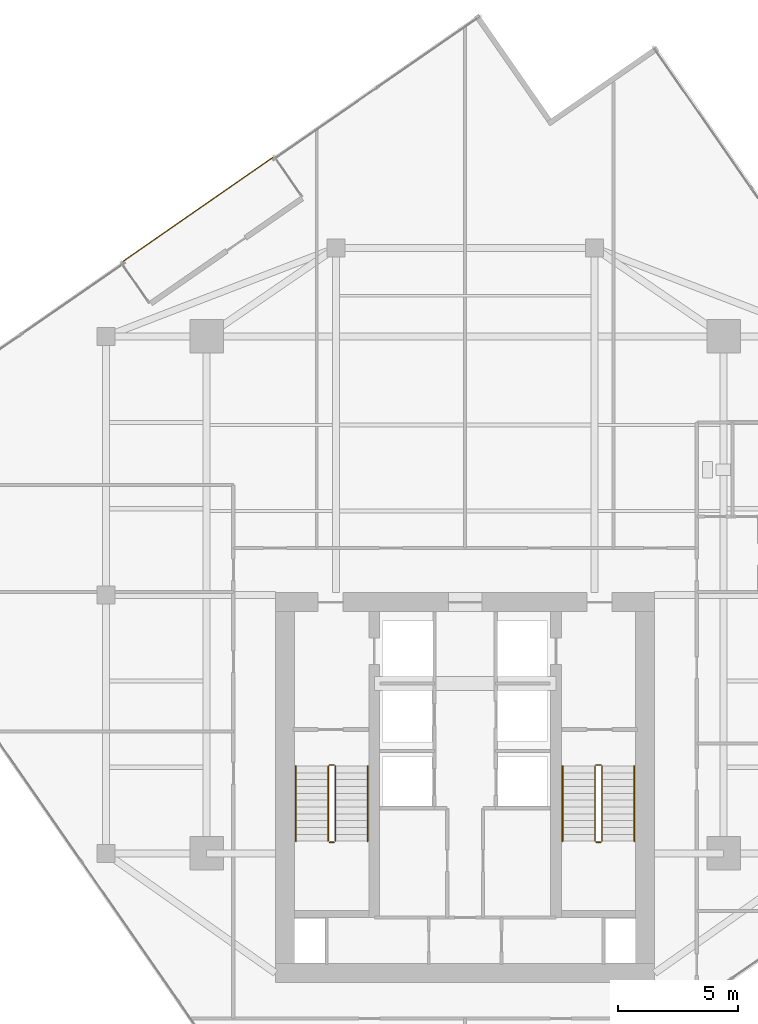
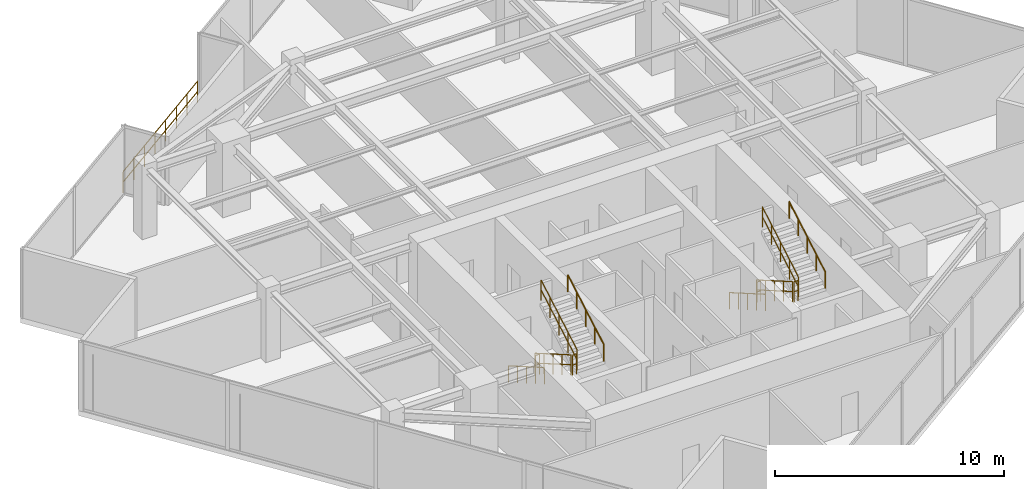
# One storey, part 20 of 21: 13 railings.
"""IFC4 building model written with IfcOpenShell, lengths in metres."""

from ifc_helpers import new_model, si_unit, direction, frame, origin, origin_2d, place, context, subcontext, project, spatial, circle, extrude, material, layer, layer_set, type_object, element, save


model = new_model("IFC4")

# Units and contexts
model_context = context("Model", 3, precision=1e-05, world=origin(), true_north=direction((0.0, 1.0)))
body_context = subcontext(model_context, "Body", "Model", "MODEL_VIEW")
ifc_project = project(units=[si_unit("LENGTHUNIT", "METRE"), si_unit("AREAUNIT", "SQUARE_METRE"), si_unit("VOLUMEUNIT", "CUBIC_METRE"), si_unit("PLANEANGLEUNIT", "RADIAN"), si_unit("MASSUNIT", "GRAM", prefix="KILO")], contexts=[model_context])

# Site, building, storey
site_placement = place(None, origin())
site = spatial("IfcSite", under=ifc_project, at=site_placement, CompositionType="ELEMENT")
building_placement = place(site_placement, origin())
building = spatial("IfcBuilding", under=site, at=building_placement, Name="Krantzveldt Concourse Tower", CompositionType="ELEMENT")
storey_placement = place(building_placement, frame((0.0, 0.0, 271.35009765625)))
storey = spatial("IfcBuildingStorey", under=building, at=storey_placement, Name="L66", CompositionType="ELEMENT", Elevation=271.35009765625)

# Railings
ifc_material = material(Name="Stainless steel 316L", Category="steel")
ifc_layer_1 = layer(ifc_material, 0.080078125, Name="Stainless steel 316L", Category="steel")
ifc_layer_set_1 = layer_set([ifc_layer_1], Name="Stainless steel 316L (RL-BALUSTRADE-1150)")
railing_type_1 = type_object("IfcRailingType", Name="RL-BALUSTRADE-1150", PredefinedType="BALUSTRADE", material=ifc_layer_set_1)
railing_1_placement = place(storey_placement, frame((27.950439453125, 44.97021484375, 0.0)))
element("IfcRailing", 1, at=railing_1_placement, inside=storey, type_object=railing_type_1, Name="GD-L66-CTER-01", PredefinedType="BALUSTRADE", context=body_context, shape_type="SweptSolid", body=[
    extrude(circle(Radius=0.02392578125, at=origin_2d()), frame((0.0, 0.0, 1.1259765625), z_axis=(-0.821648291551, -0.569994811372, 0.0), x_axis=(0.569994811372, -0.821648291551, 0.0)), (0.0, 0.0, 1.0), 7.60009765625),
    extrude(circle(Radius=0.02392578125, at=origin_2d()), frame((0.0, 0.0, 0.574951171875), z_axis=(-0.821648291551, -0.569994811372, 0.0), x_axis=(0.569994811372, -0.821648291551, 0.0)), (0.0, 0.0, 1.0), 7.60009765625),
    extrude(circle(Radius=0.02099609375, at=origin_2d()), origin(), (0.0, 0.0, 1.0), 1.101806640625),
    extrude(circle(Radius=0.02099609375, at=origin_2d()), frame((-0.89208984375, -0.618896484375, 0.0)), (0.0, 0.0, 1.0), 1.101806640625),
    extrude(circle(Radius=0.02099609375, at=origin_2d()), frame((-1.7841796875, -1.23779296875, 0.0)), (0.0, 0.0, 1.0), 1.101806640625),
    extrude(circle(Radius=0.02099609375, at=origin_2d()), frame((-2.67626953125, -1.856689453125, 0.0)), (0.0, 0.0, 1.0), 1.101806640625),
    extrude(circle(Radius=0.02099609375, at=origin_2d()), frame((-3.568359375, -2.475341796875, 0.0)), (0.0, 0.0, 1.0), 1.101806640625),
    extrude(circle(Radius=0.02099609375, at=origin_2d()), frame((-4.46044921875, -3.09423828125, 0.0)), (0.0, 0.0, 1.0), 1.101806640625),
    extrude(circle(Radius=0.02099609375, at=origin_2d()), frame((-5.3525390625, -3.713134765625, 0.0)), (0.0, 0.0, 1.0), 1.101806640625),
    extrude(circle(Radius=0.02099609375, at=origin_2d()), frame((-6.24462890625, -4.33203125, 0.0)), (0.0, 0.0, 1.0), 1.101806640625),
])
ifc_layer_2 = layer(ifc_material, 0.06005859375, Name="Stainless steel 316L", Category="steel")
ifc_layer_set_2 = layer_set([ifc_layer_2], Name="Stainless steel 316L (RL-GUARD-1120)")
railing_type_2 = type_object("IfcRailingType", Name="RL-GUARD-1120", PredefinedType="GUARDRAIL", material=ifc_layer_set_2)
railing_2_placement = place(storey_placement, frame((30.280029296875, 19.550048828125, 0.16455078125)))
element("IfcRailing", 2, at=railing_2_placement, inside=storey, type_object=railing_type_2, Name="L66 ST-1 stair guard 1", PredefinedType="GUARDRAIL", context=body_context, shape_type="SweptSolid", body=[
    extrude(circle(Radius=0.02392578125, at=origin_2d()), frame((0.0, 0.0, 1.076171875), z_axis=(0.0, -0.865989039225, 0.500062979975), x_axis=(1.0, 0.0, 0.0)), (0.0, 0.0, 1.0), 3.6201171875),
    extrude(circle(Radius=0.02392578125, at=origin_2d()), frame((0.0, 0.0, 0.550048828125), z_axis=(0.0, -0.865989039225, 0.500062979975), x_axis=(1.0, 0.0, 0.0)), (0.0, 0.0, 1.0), 3.6201171875),
    extrude(circle(Radius=0.02099609375, at=origin_2d()), origin(), (0.0, 0.0, 1.0), 1.052001953125),
    extrude(circle(Radius=0.02099609375, at=origin_2d()), frame((0.0, -0.78369140625, 0.45263671875)), (0.0, 0.0, 1.0), 1.052001953125),
    extrude(circle(Radius=0.02099609375, at=origin_2d()), frame((0.0, -1.5673828125, 0.9052734375)), (0.0, 0.0, 1.0), 1.052001953125),
    extrude(circle(Radius=0.02099609375, at=origin_2d()), frame((0.0, -2.351318359375, 1.357666015625)), (0.0, 0.0, 1.0), 1.052001953125),
    extrude(circle(Radius=0.02099609375, at=origin_2d()), frame((0.0, -3.135009765625, 1.810302734375)), (0.0, 0.0, 1.0), 1.052001953125),
])
railing_3_placement = place(storey_placement, frame((30.330078125, 16.364990234375, 1.974853515625)))
element("IfcRailing", 3, at=railing_3_placement, inside=storey, type_object=railing_type_2, Name="L66 ST-1 stair guard 2", PredefinedType="GUARDRAIL", context=body_context, shape_type="SweptSolid", body=[
    extrude(circle(Radius=0.02392578125, at=origin_2d()), frame((0.0, 0.0, 1.076171875), z_axis=(1.0, 0.0, 0.0), x_axis=(0.0, 1.0, 0.0)), (0.0, 0.0, 1.0), 0.199951171875),
    extrude(circle(Radius=0.02392578125, at=origin_2d()), frame((0.0, 0.0, 0.550048828125), z_axis=(1.0, 0.0, 0.0), x_axis=(0.0, 1.0, 0.0)), (0.0, 0.0, 1.0), 0.199951171875),
    extrude(circle(Radius=0.02099609375, at=origin_2d()), origin(), (0.0, 0.0, 1.0), 1.052001953125),
    extrude(circle(Radius=0.02099609375, at=origin_2d()), frame((0.199951171875, 0.0, 0.0)), (0.0, 0.0, 1.0), 1.052001953125),
])
railing_4_placement = place(storey_placement, frame((30.580078125, 16.4150390625, 2.139404296875)))
element("IfcRailing", 4, at=railing_4_placement, inside=storey, type_object=railing_type_2, Name="L66 ST-1 stair guard 3", PredefinedType="GUARDRAIL", context=body_context, shape_type="SweptSolid", body=[
    extrude(circle(Radius=0.02392578125, at=origin_2d()), frame((0.0, 0.0, 1.076171875), z_axis=(0.0, 0.865959834175, 0.500113552702), x_axis=(-1.0, 0.0, 0.0)), (0.0, 0.0, 1.0), 3.620361328125),
    extrude(circle(Radius=0.02392578125, at=origin_2d()), frame((0.0, 0.0, 0.550048828125), z_axis=(0.0, 0.865959834175, 0.500113552702), x_axis=(-1.0, 0.0, 0.0)), (0.0, 0.0, 1.0), 3.620361328125),
    extrude(circle(Radius=0.02099609375, at=origin_2d()), origin(), (0.0, 0.0, 1.0), 1.052001953125),
    extrude(circle(Radius=0.02099609375, at=origin_2d()), frame((0.0, 0.78369140625, 0.45263671875)), (0.0, 0.0, 1.0), 1.052001953125),
    extrude(circle(Radius=0.02099609375, at=origin_2d()), frame((0.0, 1.5673828125, 0.9052734375)), (0.0, 0.0, 1.0), 1.052001953125),
    extrude(circle(Radius=0.02099609375, at=origin_2d()), frame((0.0, 2.351318359375, 1.35791015625)), (0.0, 0.0, 1.0), 1.052001953125),
    extrude(circle(Radius=0.02099609375, at=origin_2d()), frame((0.0, 3.135009765625, 1.810546875)), (0.0, 0.0, 1.0), 1.052001953125),
])
railing_5_placement = place(storey_placement, frame((30.330078125, 19.60009765625, 0.0)))
element("IfcRailing", 5, at=railing_5_placement, inside=storey, type_object=railing_type_2, Name="L66 ST-1 stair guard 4", PredefinedType="GUARDRAIL", context=body_context, shape_type="SweptSolid", body=[
    extrude(circle(Radius=0.02392578125, at=origin_2d()), frame((0.0, 0.0, 1.076171875), z_axis=(1.0, 0.0, 0.0), x_axis=(0.0, 1.0, 0.0)), (0.0, 0.0, 1.0), 0.199951171875),
    extrude(circle(Radius=0.02392578125, at=origin_2d()), frame((0.0, 0.0, 0.550048828125), z_axis=(1.0, 0.0, 0.0), x_axis=(0.0, 1.0, 0.0)), (0.0, 0.0, 1.0), 0.199951171875),
    extrude(circle(Radius=0.02099609375, at=origin_2d()), origin(), (0.0, 0.0, 1.0), 1.052001953125),
    extrude(circle(Radius=0.02099609375, at=origin_2d()), frame((0.199951171875, 0.0, 0.0)), (0.0, 0.0, 1.0), 1.052001953125),
])
railing_6_placement = place(storey_placement, frame((41.419921875, 19.550048828125, 0.16455078125)))
element("IfcRailing", 6, at=railing_6_placement, inside=storey, type_object=railing_type_2, Name="L66 ST-2 stair guard 1", PredefinedType="GUARDRAIL", context=body_context, shape_type="SweptSolid", body=[
    extrude(circle(Radius=0.02392578125, at=origin_2d()), frame((0.0, 0.0, 1.076171875), z_axis=(0.0, -0.865989039225, 0.500062979975), x_axis=(1.0, 0.0, 0.0)), (0.0, 0.0, 1.0), 3.6201171875),
    extrude(circle(Radius=0.02392578125, at=origin_2d()), frame((0.0, 0.0, 0.550048828125), z_axis=(0.0, -0.865989039225, 0.500062979975), x_axis=(1.0, 0.0, 0.0)), (0.0, 0.0, 1.0), 3.6201171875),
    extrude(circle(Radius=0.02099609375, at=origin_2d()), origin(), (0.0, 0.0, 1.0), 1.052001953125),
    extrude(circle(Radius=0.02099609375, at=origin_2d()), frame((0.0, -0.78369140625, 0.45263671875)), (0.0, 0.0, 1.0), 1.052001953125),
    extrude(circle(Radius=0.02099609375, at=origin_2d()), frame((0.0, -1.5673828125, 0.9052734375)), (0.0, 0.0, 1.0), 1.052001953125),
    extrude(circle(Radius=0.02099609375, at=origin_2d()), frame((0.0, -2.351318359375, 1.357666015625)), (0.0, 0.0, 1.0), 1.052001953125),
    extrude(circle(Radius=0.02099609375, at=origin_2d()), frame((0.0, -3.135009765625, 1.810302734375)), (0.0, 0.0, 1.0), 1.052001953125),
])
railing_7_placement = place(storey_placement, frame((41.469970703125, 16.364990234375, 1.974853515625)))
element("IfcRailing", 7, at=railing_7_placement, inside=storey, type_object=railing_type_2, Name="L66 ST-2 stair guard 2", PredefinedType="GUARDRAIL", context=body_context, shape_type="SweptSolid", body=[
    extrude(circle(Radius=0.02392578125, at=origin_2d()), frame((0.0, 0.0, 1.076171875), z_axis=(1.0, 0.0, 0.0), x_axis=(0.0, 1.0, 0.0)), (0.0, 0.0, 1.0), 0.199951171875),
    extrude(circle(Radius=0.02392578125, at=origin_2d()), frame((0.0, 0.0, 0.550048828125), z_axis=(1.0, 0.0, 0.0), x_axis=(0.0, 1.0, 0.0)), (0.0, 0.0, 1.0), 0.199951171875),
    extrude(circle(Radius=0.02099609375, at=origin_2d()), origin(), (0.0, 0.0, 1.0), 1.052001953125),
    extrude(circle(Radius=0.02099609375, at=origin_2d()), frame((0.199951171875, 0.0, 0.0)), (0.0, 0.0, 1.0), 1.052001953125),
])
railing_8_placement = place(storey_placement, frame((41.719970703125, 16.4150390625, 2.139404296875)))
element("IfcRailing", 8, at=railing_8_placement, inside=storey, type_object=railing_type_2, Name="L66 ST-2 stair guard 3", PredefinedType="GUARDRAIL", context=body_context, shape_type="SweptSolid", body=[
    extrude(circle(Radius=0.02392578125, at=origin_2d()), frame((0.0, 0.0, 1.076171875), z_axis=(0.0, 0.865959834175, 0.500113552702), x_axis=(-1.0, 0.0, 0.0)), (0.0, 0.0, 1.0), 3.620361328125),
    extrude(circle(Radius=0.02392578125, at=origin_2d()), frame((0.0, 0.0, 0.550048828125), z_axis=(0.0, 0.865959834175, 0.500113552702), x_axis=(-1.0, 0.0, 0.0)), (0.0, 0.0, 1.0), 3.620361328125),
    extrude(circle(Radius=0.02099609375, at=origin_2d()), origin(), (0.0, 0.0, 1.0), 1.052001953125),
    extrude(circle(Radius=0.02099609375, at=origin_2d()), frame((0.0, 0.78369140625, 0.45263671875)), (0.0, 0.0, 1.0), 1.052001953125),
    extrude(circle(Radius=0.02099609375, at=origin_2d()), frame((0.0, 1.5673828125, 0.9052734375)), (0.0, 0.0, 1.0), 1.052001953125),
    extrude(circle(Radius=0.02099609375, at=origin_2d()), frame((0.0, 2.351318359375, 1.35791015625)), (0.0, 0.0, 1.0), 1.052001953125),
    extrude(circle(Radius=0.02099609375, at=origin_2d()), frame((0.0, 3.135009765625, 1.810546875)), (0.0, 0.0, 1.0), 1.052001953125),
])
railing_9_placement = place(storey_placement, frame((41.469970703125, 19.60009765625, 0.0)))
element("IfcRailing", 9, at=railing_9_placement, inside=storey, type_object=railing_type_2, Name="L66 ST-2 stair guard 4", PredefinedType="GUARDRAIL", context=body_context, shape_type="SweptSolid", body=[
    extrude(circle(Radius=0.02392578125, at=origin_2d()), frame((0.0, 0.0, 1.076171875), z_axis=(1.0, 0.0, 0.0), x_axis=(0.0, 1.0, 0.0)), (0.0, 0.0, 1.0), 0.199951171875),
    extrude(circle(Radius=0.02392578125, at=origin_2d()), frame((0.0, 0.0, 0.550048828125), z_axis=(1.0, 0.0, 0.0), x_axis=(0.0, 1.0, 0.0)), (0.0, 0.0, 1.0), 0.199951171875),
    extrude(circle(Radius=0.02099609375, at=origin_2d()), origin(), (0.0, 0.0, 1.0), 1.052001953125),
    extrude(circle(Radius=0.02099609375, at=origin_2d()), frame((0.199951171875, 0.0, 0.0)), (0.0, 0.0, 1.0), 1.052001953125),
])
ifc_layer_3 = layer(ifc_material, 0.050048828125, Name="Stainless steel 316L", Category="steel")
ifc_layer_set_3 = layer_set([ifc_layer_3], Name="Stainless steel 316L (RL-HANDRAIL-920)")
railing_type_3 = type_object("IfcRailingType", Name="RL-HANDRAIL-920", PredefinedType="HANDRAIL", material=ifc_layer_set_3)
railing_10_placement = place(storey_placement, frame((28.929931640625, 19.550048828125, 0.16455078125)))
element("IfcRailing", 10, at=railing_10_placement, inside=storey, type_object=railing_type_3, Name="L66 ST-1 stair handrail 1", PredefinedType="HANDRAIL", context=body_context, shape_type="SweptSolid", body=[
    extrude(circle(Radius=0.02392578125, at=origin_2d()), frame((0.0, 0.0, 0.8759765625), z_axis=(0.0, -0.865989039225, 0.500062979975), x_axis=(1.0, 0.0, 0.0)), (0.0, 0.0, 1.0), 3.6201171875),
    extrude(circle(Radius=0.02099609375, at=origin_2d()), origin(), (0.0, 0.0, 1.0), 0.851806640625),
    extrude(circle(Radius=0.02099609375, at=origin_2d()), frame((0.0, -0.78369140625, 0.45263671875)), (0.0, 0.0, 1.0), 0.851806640625),
    extrude(circle(Radius=0.02099609375, at=origin_2d()), frame((0.0, -1.5673828125, 0.9052734375)), (0.0, 0.0, 1.0), 0.851806640625),
    extrude(circle(Radius=0.02099609375, at=origin_2d()), frame((0.0, -2.351318359375, 1.357666015625)), (0.0, 0.0, 1.0), 0.851806640625),
    extrude(circle(Radius=0.02099609375, at=origin_2d()), frame((0.0, -3.135009765625, 1.810302734375)), (0.0, 0.0, 1.0), 0.851806640625),
])
railing_11_placement = place(storey_placement, frame((31.929931640625, 16.4150390625, 2.139404296875)))
element("IfcRailing", 11, at=railing_11_placement, inside=storey, type_object=railing_type_3, Name="L66 ST-1 stair handrail 2", PredefinedType="HANDRAIL", context=body_context, shape_type="SweptSolid", body=[
    extrude(circle(Radius=0.02392578125, at=origin_2d()), frame((0.0, 0.0, 0.8759765625), z_axis=(0.0, 0.865959834175, 0.500113552702), x_axis=(-1.0, 0.0, 0.0)), (0.0, 0.0, 1.0), 3.620361328125),
    extrude(circle(Radius=0.02099609375, at=origin_2d()), origin(), (0.0, 0.0, 1.0), 0.851806640625),
    extrude(circle(Radius=0.02099609375, at=origin_2d()), frame((0.0, 0.78369140625, 0.45263671875)), (0.0, 0.0, 1.0), 0.851806640625),
    extrude(circle(Radius=0.02099609375, at=origin_2d()), frame((0.0, 1.5673828125, 0.9052734375)), (0.0, 0.0, 1.0), 0.851806640625),
    extrude(circle(Radius=0.02099609375, at=origin_2d()), frame((0.0, 2.351318359375, 1.35791015625)), (0.0, 0.0, 1.0), 0.851806640625),
    extrude(circle(Radius=0.02099609375, at=origin_2d()), frame((0.0, 3.135009765625, 1.810546875)), (0.0, 0.0, 1.0), 0.851806640625),
])
railing_12_placement = place(storey_placement, frame((40.070068359375, 19.550048828125, 0.16455078125)))
element("IfcRailing", 12, at=railing_12_placement, inside=storey, type_object=railing_type_3, Name="L66 ST-2 stair handrail 1", PredefinedType="HANDRAIL", context=body_context, shape_type="SweptSolid", body=[
    extrude(circle(Radius=0.02392578125, at=origin_2d()), frame((0.0, 0.0, 0.8759765625), z_axis=(0.0, -0.865989039225, 0.500062979975), x_axis=(1.0, 0.0, 0.0)), (0.0, 0.0, 1.0), 3.6201171875),
    extrude(circle(Radius=0.02099609375, at=origin_2d()), origin(), (0.0, 0.0, 1.0), 0.851806640625),
    extrude(circle(Radius=0.02099609375, at=origin_2d()), frame((0.0, -0.78369140625, 0.45263671875)), (0.0, 0.0, 1.0), 0.851806640625),
    extrude(circle(Radius=0.02099609375, at=origin_2d()), frame((0.0, -1.5673828125, 0.9052734375)), (0.0, 0.0, 1.0), 0.851806640625),
    extrude(circle(Radius=0.02099609375, at=origin_2d()), frame((0.0, -2.351318359375, 1.357666015625)), (0.0, 0.0, 1.0), 0.851806640625),
    extrude(circle(Radius=0.02099609375, at=origin_2d()), frame((0.0, -3.135009765625, 1.810302734375)), (0.0, 0.0, 1.0), 0.851806640625),
])
railing_13_placement = place(storey_placement, frame((43.070068359375, 16.4150390625, 2.139404296875)))
element("IfcRailing", 13, at=railing_13_placement, inside=storey, type_object=railing_type_3, Name="L66 ST-2 stair handrail 2", PredefinedType="HANDRAIL", context=body_context, shape_type="SweptSolid", body=[
    extrude(circle(Radius=0.02392578125, at=origin_2d()), frame((0.0, 0.0, 0.8759765625), z_axis=(0.0, 0.865959834175, 0.500113552702), x_axis=(-1.0, 0.0, 0.0)), (0.0, 0.0, 1.0), 3.620361328125),
    extrude(circle(Radius=0.02099609375, at=origin_2d()), origin(), (0.0, 0.0, 1.0), 0.851806640625),
    extrude(circle(Radius=0.02099609375, at=origin_2d()), frame((0.0, 0.78369140625, 0.45263671875)), (0.0, 0.0, 1.0), 0.851806640625),
    extrude(circle(Radius=0.02099609375, at=origin_2d()), frame((0.0, 1.5673828125, 0.9052734375)), (0.0, 0.0, 1.0), 0.851806640625),
    extrude(circle(Radius=0.02099609375, at=origin_2d()), frame((0.0, 2.351318359375, 1.35791015625)), (0.0, 0.0, 1.0), 0.851806640625),
    extrude(circle(Radius=0.02099609375, at=origin_2d()), frame((0.0, 3.135009765625, 1.810546875)), (0.0, 0.0, 1.0), 0.851806640625),
])

save(model, "model.ifc")
